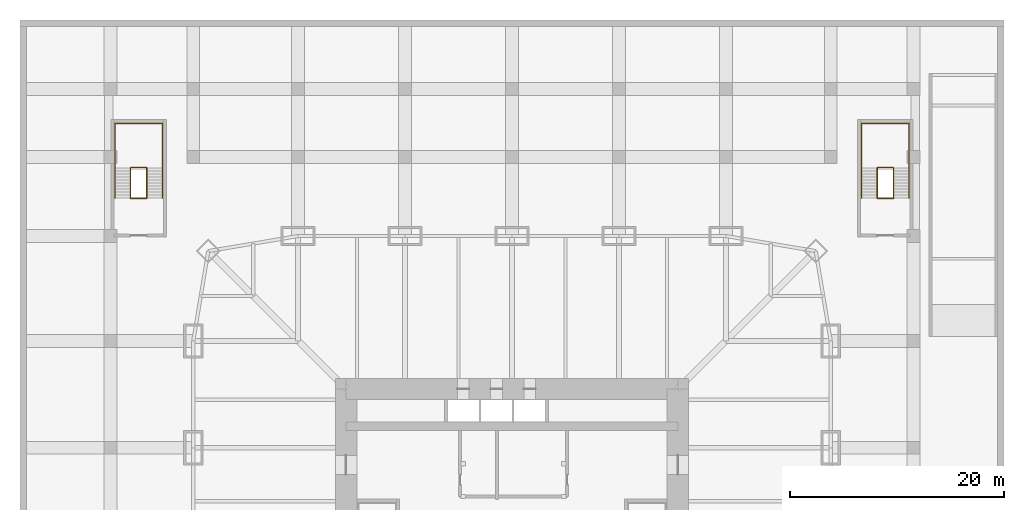
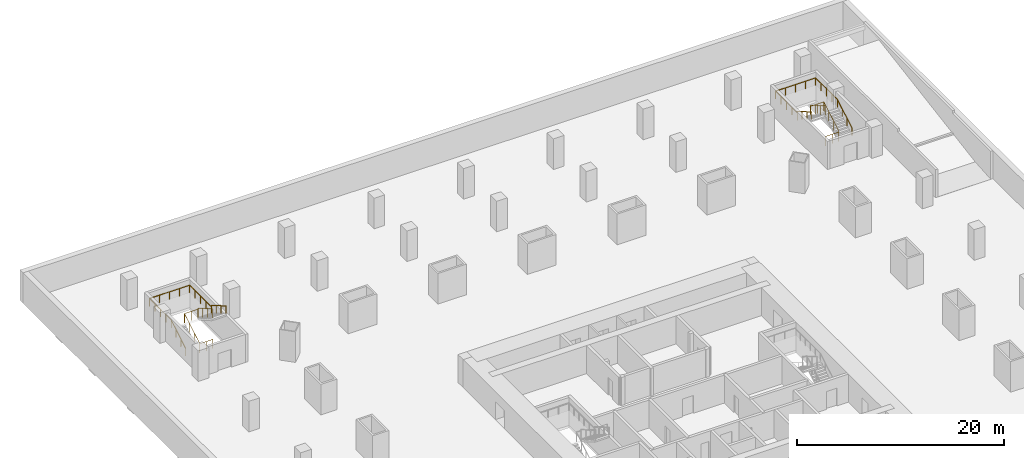
# One storey, part 11 of 11: 4 railings.
"""IFC4 building model written with IfcOpenShell, lengths in metres."""

import ifcopenshell
import ifcopenshell.guid

model = None  # the IFC model being written
_history = None  # IfcOwnerHistory: only IFC2X3 demands one
_inside = {}  # id of a spatial element -> (the spatial element, [elements in it])
_under = {}  # id of a project, library or spatial element -> (it, [spatial elements below it])
_declared = {}  # id of a project -> (the project, [libraries it declares])
_typed = {}  # id of a type object -> (the type object, [elements of that type])
_made_of = {}  # id of a material, layer set ... -> (it, [elements and type objects made of it])


def new_model(schema):
    """Start an empty IFC model of exactly this schema.

    Asked for "IFC4X3", IfcOpenShell would pick the latest addendum, in which some entities
    have other attributes; the version numbers below select the first issue.
    IFC2X3 requires an IfcOwnerHistory on every rooted entity: one is made here for all.
    """
    global model, _history
    if schema == "IFC4X3":
        model = ifcopenshell.file(schema_version=(4, 3, 0, 0))
    else:
        model = ifcopenshell.file(schema=schema)
    _inside.clear()
    _under.clear()
    _declared.clear()
    _typed.clear()
    _made_of.clear()
    _history = None
    if model.schema == "IFC2X3":
        org = make("IfcOrganization", Name="unknown")
        user = make(
            "IfcPersonAndOrganization",
            ThePerson=make("IfcPerson", FamilyName="unknown"),
            TheOrganization=org,
        )
        app = make(
            "IfcApplication",
            ApplicationDeveloper=org,
            Version="unknown",
            ApplicationFullName="unknown",
            ApplicationIdentifier="unknown",
        )
        _history = make(
            "IfcOwnerHistory",
            OwningUser=user,
            OwningApplication=app,
            ChangeAction="ADDED",
            CreationDate=0,
        )
    return model


def make(cls, **values):
    """One entity of the class cls with the attributes given. An attribute that is None is left unset."""
    return model.create_entity(
        cls, **{name: value for name, value in values.items() if value is not None}
    )


def rooted(cls, **values):
    """An entity with a GlobalId (a new one), such as an element, a storey or a relation."""
    return make(cls, GlobalId=ifcopenshell.guid.new(), OwnerHistory=_history, **values)


def si_unit(unit_type, name, prefix=None):
    """IfcSIUnit, for example si_unit("LENGTHUNIT", "METRE", prefix="MILLI")."""
    return make("IfcSIUnit", UnitType=unit_type, Prefix=prefix, Name=name)


def assignment(units):
    """IfcUnitAssignment: the units of a project."""
    return None if units is None else make("IfcUnitAssignment", Units=units)


def point(xyz):
    """IfcCartesianPoint."""
    return None if xyz is None else make("IfcCartesianPoint", Coordinates=xyz)


def direction(xyz):
    """IfcDirection."""
    return None if xyz is None else make("IfcDirection", DirectionRatios=xyz)


def frame(location, z_axis=None, x_axis=None):
    """IfcAxis2Placement3D, a coordinate frame: its origin and axes. An axis left out is left unset."""
    return make(
        "IfcAxis2Placement3D",
        Location=point(location),
        Axis=direction(z_axis),
        RefDirection=direction(x_axis),
    )


def frame_2d(location, x_axis=None):
    """IfcAxis2Placement2D, a coordinate frame in the plane: its origin and x axis."""
    return make(
        "IfcAxis2Placement2D", Location=point(location), RefDirection=direction(x_axis)
    )


def origin():
    """The frame at (0, 0, 0) with its axes left unset."""
    return frame((0.0, 0.0, 0.0))


def origin_2d():
    """The frame at (0, 0) in the plane with its x axis left unset."""
    return frame_2d((0.0, 0.0))


def place(relative_to, where):
    """IfcLocalPlacement: puts the frame where relative to a parent placement (None: the world)."""
    return make(
        "IfcLocalPlacement", PlacementRelTo=relative_to, RelativePlacement=where
    )


def context(
    kind, dimensions, precision=None, world=None, true_north=None, identifier=None
):
    """IfcGeometricRepresentationContext, for example the 3D "Model" context."""
    return make(
        "IfcGeometricRepresentationContext",
        ContextIdentifier=identifier,
        ContextType=kind,
        CoordinateSpaceDimension=dimensions,
        Precision=precision,
        WorldCoordinateSystem=world,
        TrueNorth=true_north,
    )


def subcontext(parent, identifier, kind, view, scale=None):
    """IfcGeometricRepresentationSubContext, for example "Body" below "Model"."""
    return make(
        "IfcGeometricRepresentationSubContext",
        ContextIdentifier=identifier,
        ContextType=kind,
        ParentContext=parent,
        TargetScale=scale,
        TargetView=view,
    )


def project(units=None, contexts=None):
    """IfcProject with its units and contexts."""
    return rooted(
        "IfcProject",
        Name="project",
        RepresentationContexts=contexts,
        UnitsInContext=assignment(units),
    )


def spatial(cls, under=None, at=None, **own):
    """A site, building, storey or space (cls), placed at a placement, below another one or the project."""
    s = rooted(cls, ObjectPlacement=at, **own)
    if under is not None:
        _under.setdefault(under.id(), (under, []))[1].append(s)
    return s


def profile(cls, at=None, kind="AREA", **sizes):
    """A parametric profile (cls). Its sizes go by their IFC names, for example OverallWidth=200.0."""
    return make(cls, ProfileType=kind, Position=at, **sizes)


def circle(**sizes):
    """IfcCircleProfileDef."""
    return profile("IfcCircleProfileDef", **sizes)


def extrude(swept, where, along, depth):
    """IfcExtrudedAreaSolid: the profile swept, set in the frame where, extruded along a direction by depth."""
    return make(
        "IfcExtrudedAreaSolid",
        SweptArea=swept,
        Position=where,
        ExtrudedDirection=direction(along),
        Depth=depth,
    )


def shape(context_of_items, identifier, shape_type, items):
    """IfcShapeRepresentation: the items that make up one representation, for example the "Body"."""
    return make(
        "IfcShapeRepresentation",
        ContextOfItems=context_of_items,
        RepresentationIdentifier=identifier,
        RepresentationType=shape_type,
        Items=items,
    )


def material(Name=None, Category=None):
    """IfcMaterial."""
    return make("IfcMaterial", Name=Name, Category=Category)


def made_of(thing, what):
    """Note that an element or type object is made of a material, layer set ...; save() writes the relation."""
    if what is not None:
        _made_of.setdefault(what.id(), (what, []))[1].append(thing)
    return thing


def type_object(cls, material=None, **own):
    """A type object (cls), such as IfcWallType, which elements share."""
    return made_of(rooted(cls, **own), material)


def element(
    cls,
    number,
    at=None,
    inside=None,
    cuts=None,
    type_object=None,
    material=None,
    context=None,
    identifier="Body",
    shape_type=None,
    held_by="IfcProductDefinitionShape",
    body=None,
    shapes=None,
    **own,
):
    """One element of the class cls, such as IfcWall. Its Tag is "e" and its number.

    at: its placement. inside: the storey or other place that contains it. cuts: it is an
    opening in that element (IfcRelVoidsElement). A single representation is given by context,
    identifier, shape_type and body (its items); several are given by shapes. held_by: the class
    of the entity that holds the representations. save() writes the other relations.
    """
    e = rooted(cls, Tag="e%d" % number, ObjectPlacement=at, **own)
    if body is not None:
        shapes = [shape(context, identifier, shape_type, body)]
    if shapes is not None:
        e.Representation = make(held_by, Representations=shapes)
    if inside is not None:
        _inside.setdefault(inside.id(), (inside, []))[1].append(e)
    if cuts is not None:
        rooted(
            "IfcRelVoidsElement", RelatingBuildingElement=cuts, RelatedOpeningElement=e
        )
    if type_object is not None:
        _typed.setdefault(type_object.id(), (type_object, []))[1].append(e)
    return made_of(e, material)


def aggregate(whole, parts):
    """IfcRelAggregates: a whole, such as a stair, and the parts it consists of."""
    return rooted("IfcRelAggregates", RelatingObject=whole, RelatedObjects=parts)


def save(model, path):
    """Write the relations noted so far, then the file.

    IfcRelAggregates (storeys below a building ...), IfcRelContainedInSpatialStructure (elements
    in a storey), IfcRelDefinesByType, IfcRelAssociatesMaterial and IfcRelDeclares: one each for
    every whole, place, type object, material and project.
    """
    for whole, parts in _under.values():
        aggregate(whole, parts)
    for where, things in _inside.values():
        rooted(
            "IfcRelContainedInSpatialStructure",
            RelatedElements=things,
            RelatingStructure=where,
        )
    for kind, things in _typed.values():
        rooted("IfcRelDefinesByType", RelatedObjects=things, RelatingType=kind)
    for what, things in _made_of.values():
        rooted("IfcRelAssociatesMaterial", RelatedObjects=things, RelatingMaterial=what)
    for by, libraries in _declared.values():
        rooted("IfcRelDeclares", RelatingContext=by, RelatedDefinitions=libraries)
    model.write(path)


model = new_model("IFC4")

# Units and contexts
model_context = context("Model", 3, precision=1e-05, world=origin(), true_north=direction((0.0, 1.0)))
body_context = subcontext(model_context, "Body", "Model", "MODEL_VIEW")
ifc_project = project(units=[si_unit("LENGTHUNIT", "METRE"), si_unit("AREAUNIT", "SQUARE_METRE"), si_unit("VOLUMEUNIT", "CUBIC_METRE"), si_unit("PLANEANGLEUNIT", "RADIAN"), si_unit("MASSUNIT", "GRAM", prefix="KILO")], contexts=[model_context])

# Site, building, storey
site_placement = place(None, origin())
site = spatial("IfcSite", under=ifc_project, at=site_placement, CompositionType="ELEMENT")
building_placement = place(site_placement, origin())
building = spatial("IfcBuilding", under=site, at=building_placement, Name="Khuree Lantern Residences", CompositionType="ELEMENT")
storey_placement = place(building_placement, frame((0.0, 0.0, -9.0)))
storey = spatial("IfcBuildingStorey", under=building, at=storey_placement, Name="B2", CompositionType="ELEMENT", Elevation=-9.0)

# Railings
ifc_material = material(Name="Steel S355", Category="steel")
railing_type_1 = type_object("IfcRailingType", Name="STAIR GUARD G1 1100", PredefinedType="GUARDRAIL", material=ifc_material)
railing_1_placement = place(storey_placement, frame((-34.14990234375, 33.2900390625, 0.0)))
element("IfcRailing", 1, at=railing_1_placement, inside=storey, type_object=railing_type_1, Name="Stair ST3 guard", PredefinedType="GUARDRAIL", context=body_context, shape_type="SweptSolid", body=[
    extrude(circle(Radius=0.02392578125, at=origin_2d()), frame((0.0, 0.0, 1.076171875), z_axis=(-1.0, 0.0, 0.0), x_axis=(0.0, -1.0, 0.0)), (0.0, 0.0, 1.0), 1.5),
    extrude(circle(Radius=0.02392578125, at=origin_2d()), frame((-1.5, 0.0, 1.076171875), z_axis=(0.0, 0.292581112321, 0.956240708563), x_axis=(-1.0, 0.0, 0.0)), (0.0, 0.0, 1.0), 0.171142578125),
    extrude(circle(Radius=0.02392578125, at=origin_2d()), frame((-1.5, 0.050048828125, 1.23974609375), z_axis=(0.0, 0.863341702679, 0.504619762213), x_axis=(-1.0, 0.0, 0.0)), (0.0, 0.0, 1.0), 3.242919921875),
    extrude(circle(Radius=0.02392578125, at=origin_2d()), frame((-1.5, 2.849853515625, 2.8759765625), z_axis=(0.0, 1.0, 0.0), x_axis=(-1.0, 0.0, 0.0)), (0.0, 0.0, 1.0), 0.050048828125),
    extrude(circle(Radius=0.02392578125, at=origin_2d()), frame((-1.5, 2.89990234375, 2.8759765625), z_axis=(1.0, 0.0, 0.0), x_axis=(0.0, 1.0, 0.0)), (0.0, 0.0, 1.0), 1.5),
    extrude(circle(Radius=0.02392578125, at=origin_2d()), frame((0.0, 2.89990234375, 2.8759765625), z_axis=(0.0, -0.292581112321, 0.956240708563), x_axis=(1.0, 0.0, 0.0)), (0.0, 0.0, 1.0), 0.171142578125),
    extrude(circle(Radius=0.02392578125, at=origin_2d()), frame((0.0, 2.849853515625, 3.03955078125), z_axis=(0.0, -0.863341702679, 0.504619762213), x_axis=(1.0, 0.0, 0.0)), (0.0, 0.0, 1.0), 3.242919921875),
    extrude(circle(Radius=0.02099609375, at=origin_2d()), origin(), (0.0, 0.0, 1.0), 1.052001953125),
    extrude(circle(Radius=0.02099609375, at=origin_2d()), frame((-0.75, 0.0, 0.0)), (0.0, 0.0, 1.0), 1.052001953125),
    extrude(circle(Radius=0.02099609375, at=origin_2d()), frame((-1.5, 0.0, 0.0)), (0.0, 0.0, 1.0), 1.052001953125),
    extrude(circle(Radius=0.02099609375, at=origin_2d()), frame((-1.5, 0.050048828125, 0.16357421875)), (0.0, 0.0, 1.0), 1.052001953125),
    extrude(circle(Radius=0.02099609375, at=origin_2d()), frame((-1.5, 0.9833984375, 0.708984375)), (0.0, 0.0, 1.0), 1.052001953125),
    extrude(circle(Radius=0.02099609375, at=origin_2d()), frame((-1.5, 1.91650390625, 1.254638671875)), (0.0, 0.0, 1.0), 1.052001953125),
    extrude(circle(Radius=0.02099609375, at=origin_2d()), frame((-1.5, 2.849853515625, 1.800048828125)), (0.0, 0.0, 1.0), 1.052001953125),
    extrude(circle(Radius=0.02099609375, at=origin_2d()), frame((-1.5, 2.89990234375, 1.800048828125)), (0.0, 0.0, 1.0), 1.052001953125),
    extrude(circle(Radius=0.02099609375, at=origin_2d()), frame((-0.75, 2.89990234375, 1.800048828125)), (0.0, 0.0, 1.0), 1.052001953125),
    extrude(circle(Radius=0.02099609375, at=origin_2d()), frame((0.0, 2.89990234375, 1.800048828125)), (0.0, 0.0, 1.0), 1.052001953125),
    extrude(circle(Radius=0.02099609375, at=origin_2d()), frame((0.0, 2.849853515625, 1.963623046875)), (0.0, 0.0, 1.0), 1.052001953125),
    extrude(circle(Radius=0.02099609375, at=origin_2d()), frame((0.0, 1.91650390625, 2.509033203125)), (0.0, 0.0, 1.0), 1.052001953125),
    extrude(circle(Radius=0.02099609375, at=origin_2d()), frame((0.0, 0.9833984375, 3.0546875)), (0.0, 0.0, 1.0), 1.052001953125),
    extrude(circle(Radius=0.02099609375, at=origin_2d()), frame((0.0, 0.050048828125, 3.60009765625)), (0.0, 0.0, 1.0), 1.052001953125),
])
railing_2_placement = place(storey_placement, frame((34.14990234375, 33.2900390625, 0.0)))
element("IfcRailing", 2, at=railing_2_placement, inside=storey, type_object=railing_type_1, Name="Stair ST4 guard", PredefinedType="GUARDRAIL", context=body_context, shape_type="SweptSolid", body=[
    extrude(circle(Radius=0.02392578125, at=origin_2d()), frame((0.0, 0.0, 1.076171875), z_axis=(1.0, 0.0, 0.0), x_axis=(0.0, 1.0, 0.0)), (0.0, 0.0, 1.0), 1.5),
    extrude(circle(Radius=0.02392578125, at=origin_2d()), frame((1.5, 0.0, 1.076171875), z_axis=(0.0, 0.292581112321, 0.956240708563), x_axis=(-1.0, 0.0, 0.0)), (0.0, 0.0, 1.0), 0.171142578125),
    extrude(circle(Radius=0.02392578125, at=origin_2d()), frame((1.5, 0.050048828125, 1.23974609375), z_axis=(0.0, 0.863341702679, 0.504619762213), x_axis=(-1.0, 0.0, 0.0)), (0.0, 0.0, 1.0), 3.242919921875),
    extrude(circle(Radius=0.02392578125, at=origin_2d()), frame((1.5, 2.849853515625, 2.8759765625), z_axis=(0.0, 1.0, 0.0), x_axis=(-1.0, 0.0, 0.0)), (0.0, 0.0, 1.0), 0.050048828125),
    extrude(circle(Radius=0.02392578125, at=origin_2d()), frame((1.5, 2.89990234375, 2.8759765625), z_axis=(-1.0, 0.0, 0.0), x_axis=(0.0, -1.0, 0.0)), (0.0, 0.0, 1.0), 1.5),
    extrude(circle(Radius=0.02392578125, at=origin_2d()), frame((0.0, 2.89990234375, 2.8759765625), z_axis=(0.0, -0.292581112321, 0.956240708563), x_axis=(1.0, 0.0, 0.0)), (0.0, 0.0, 1.0), 0.171142578125),
    extrude(circle(Radius=0.02392578125, at=origin_2d()), frame((0.0, 2.849853515625, 3.03955078125), z_axis=(0.0, -0.863341702679, 0.504619762213), x_axis=(1.0, 0.0, 0.0)), (0.0, 0.0, 1.0), 3.242919921875),
    extrude(circle(Radius=0.02099609375, at=origin_2d()), origin(), (0.0, 0.0, 1.0), 1.052001953125),
    extrude(circle(Radius=0.02099609375, at=origin_2d()), frame((0.75, 0.0, 0.0)), (0.0, 0.0, 1.0), 1.052001953125),
    extrude(circle(Radius=0.02099609375, at=origin_2d()), frame((1.5, 0.0, 0.0)), (0.0, 0.0, 1.0), 1.052001953125),
    extrude(circle(Radius=0.02099609375, at=origin_2d()), frame((1.5, 0.050048828125, 0.16357421875)), (0.0, 0.0, 1.0), 1.052001953125),
    extrude(circle(Radius=0.02099609375, at=origin_2d()), frame((1.5, 0.9833984375, 0.708984375)), (0.0, 0.0, 1.0), 1.052001953125),
    extrude(circle(Radius=0.02099609375, at=origin_2d()), frame((1.5, 1.91650390625, 1.254638671875)), (0.0, 0.0, 1.0), 1.052001953125),
    extrude(circle(Radius=0.02099609375, at=origin_2d()), frame((1.5, 2.849853515625, 1.800048828125)), (0.0, 0.0, 1.0), 1.052001953125),
    extrude(circle(Radius=0.02099609375, at=origin_2d()), frame((1.5, 2.89990234375, 1.800048828125)), (0.0, 0.0, 1.0), 1.052001953125),
    extrude(circle(Radius=0.02099609375, at=origin_2d()), frame((0.75, 2.89990234375, 1.800048828125)), (0.0, 0.0, 1.0), 1.052001953125),
    extrude(circle(Radius=0.02099609375, at=origin_2d()), frame((0.0, 2.89990234375, 1.800048828125)), (0.0, 0.0, 1.0), 1.052001953125),
    extrude(circle(Radius=0.02099609375, at=origin_2d()), frame((0.0, 2.849853515625, 1.963623046875)), (0.0, 0.0, 1.0), 1.052001953125),
    extrude(circle(Radius=0.02099609375, at=origin_2d()), frame((0.0, 1.91650390625, 2.509033203125)), (0.0, 0.0, 1.0), 1.052001953125),
    extrude(circle(Radius=0.02099609375, at=origin_2d()), frame((0.0, 0.9833984375, 3.0546875)), (0.0, 0.0, 1.0), 1.052001953125),
    extrude(circle(Radius=0.02099609375, at=origin_2d()), frame((0.0, 0.050048828125, 3.60009765625)), (0.0, 0.0, 1.0), 1.052001953125),
])
railing_type_2 = type_object("IfcRailingType", Name="STAIR HANDRAIL H1 900", PredefinedType="HANDRAIL", material=ifc_material)
railing_3_placement = place(storey_placement, frame((-37.139892578125, 33.340087890625, 0.16357421875)))
element("IfcRailing", 3, at=railing_3_placement, inside=storey, type_object=railing_type_2, Name="Stair ST3 handrail", PredefinedType="HANDRAIL", context=body_context, shape_type="SweptSolid", body=[
    extrude(circle(Radius=0.02392578125, at=origin_2d()), frame((0.0, 0.0, 0.8759765625), z_axis=(0.0, 0.863341702679, 0.504619762213), x_axis=(-1.0, 0.0, 0.0)), (0.0, 0.0, 1.0), 3.242919921875),
    extrude(circle(Radius=0.02392578125, at=origin_2d()), frame((0.0, 2.7998046875, 2.51220703125), z_axis=(0.0, 1.0, 0.0), x_axis=(-1.0, 0.0, 0.0)), (0.0, 0.0, 1.0), 4.2001953125),
    extrude(circle(Radius=0.02392578125, at=origin_2d()), frame((0.0, 7.0, 2.51220703125), z_axis=(1.0, 0.0, 0.0), x_axis=(0.0, 1.0, 0.0)), (0.0, 0.0, 1.0), 4.47998046875),
    extrude(circle(Radius=0.02392578125, at=origin_2d()), frame((4.47998046875, 7.0, 2.51220703125), z_axis=(0.0, -1.0, 0.0), x_axis=(1.0, 0.0, 0.0)), (0.0, 0.0, 1.0), 4.2001953125),
    extrude(circle(Radius=0.02392578125, at=origin_2d()), frame((4.47998046875, 2.7998046875, 2.51220703125), z_axis=(0.0, 0.0, 1.0), x_axis=(1.0, 0.0, 0.0)), (0.0, 0.0, 1.0), 0.16357421875),
    extrude(circle(Radius=0.02392578125, at=origin_2d()), frame((4.47998046875, 2.7998046875, 2.67578125), z_axis=(0.0, -0.863341702679, 0.504619762213), x_axis=(1.0, 0.0, 0.0)), (0.0, 0.0, 1.0), 3.242919921875),
    extrude(circle(Radius=0.02099609375, at=origin_2d()), origin(), (0.0, 0.0, 1.0), 0.851806640625),
    extrude(circle(Radius=0.02099609375, at=origin_2d()), frame((0.0, 0.933349609375, 0.54541015625)), (0.0, 0.0, 1.0), 0.851806640625),
    extrude(circle(Radius=0.02099609375, at=origin_2d()), frame((0.0, 1.866455078125, 1.091064453125)), (0.0, 0.0, 1.0), 0.851806640625),
    extrude(circle(Radius=0.02099609375, at=origin_2d()), frame((0.0, 2.7998046875, 1.636474609375)), (0.0, 0.0, 1.0), 0.851806640625),
    extrude(circle(Radius=0.02099609375, at=origin_2d()), frame((0.0, 3.849853515625, 1.636474609375)), (0.0, 0.0, 1.0), 0.851806640625),
    extrude(circle(Radius=0.02099609375, at=origin_2d()), frame((0.0, 4.89990234375, 1.636474609375)), (0.0, 0.0, 1.0), 0.851806640625),
    extrude(circle(Radius=0.02099609375, at=origin_2d()), frame((0.0, 5.949951171875, 1.636474609375)), (0.0, 0.0, 1.0), 0.851806640625),
    extrude(circle(Radius=0.02099609375, at=origin_2d()), frame((0.0, 7.0, 1.636474609375)), (0.0, 0.0, 1.0), 0.851806640625),
    extrude(circle(Radius=0.02099609375, at=origin_2d()), frame((1.1201171875, 7.0, 1.636474609375)), (0.0, 0.0, 1.0), 0.851806640625),
    extrude(circle(Radius=0.02099609375, at=origin_2d()), frame((2.239990234375, 7.0, 1.636474609375)), (0.0, 0.0, 1.0), 0.851806640625),
    extrude(circle(Radius=0.02099609375, at=origin_2d()), frame((3.35986328125, 7.0, 1.636474609375)), (0.0, 0.0, 1.0), 0.851806640625),
    extrude(circle(Radius=0.02099609375, at=origin_2d()), frame((4.47998046875, 7.0, 1.636474609375)), (0.0, 0.0, 1.0), 0.851806640625),
    extrude(circle(Radius=0.02099609375, at=origin_2d()), frame((4.47998046875, 5.949951171875, 1.636474609375)), (0.0, 0.0, 1.0), 0.851806640625),
    extrude(circle(Radius=0.02099609375, at=origin_2d()), frame((4.47998046875, 4.89990234375, 1.636474609375)), (0.0, 0.0, 1.0), 0.851806640625),
    extrude(circle(Radius=0.02099609375, at=origin_2d()), frame((4.47998046875, 3.849853515625, 1.636474609375)), (0.0, 0.0, 1.0), 0.851806640625),
    extrude(circle(Radius=0.02099609375, at=origin_2d()), frame((4.47998046875, 2.7998046875, 1.636474609375)), (0.0, 0.0, 1.0), 0.851806640625),
    extrude(circle(Radius=0.02099609375, at=origin_2d()), frame((4.47998046875, 2.7998046875, 1.800048828125)), (0.0, 0.0, 1.0), 0.851806640625),
    extrude(circle(Radius=0.02099609375, at=origin_2d()), frame((4.47998046875, 1.866455078125, 2.345458984375)), (0.0, 0.0, 1.0), 0.851806640625),
    extrude(circle(Radius=0.02099609375, at=origin_2d()), frame((4.47998046875, 0.933349609375, 2.89111328125)), (0.0, 0.0, 1.0), 0.851806640625),
    extrude(circle(Radius=0.02099609375, at=origin_2d()), frame((4.47998046875, 0.0, 3.4365234375)), (0.0, 0.0, 1.0), 0.851806640625),
])
railing_4_placement = place(storey_placement, frame((37.139892578125, 33.340087890625, 0.16357421875)))
element("IfcRailing", 4, at=railing_4_placement, inside=storey, type_object=railing_type_2, Name="Stair ST4 handrail", PredefinedType="HANDRAIL", context=body_context, shape_type="SweptSolid", body=[
    extrude(circle(Radius=0.02392578125, at=origin_2d()), frame((0.0, 0.0, 0.8759765625), z_axis=(0.0, 0.863341702679, 0.504619762213), x_axis=(-1.0, 0.0, 0.0)), (0.0, 0.0, 1.0), 3.242919921875),
    extrude(circle(Radius=0.02392578125, at=origin_2d()), frame((0.0, 2.7998046875, 2.51220703125), z_axis=(0.0, 1.0, 0.0), x_axis=(-1.0, 0.0, 0.0)), (0.0, 0.0, 1.0), 4.2001953125),
    extrude(circle(Radius=0.02392578125, at=origin_2d()), frame((0.0, 7.0, 2.51220703125), z_axis=(-1.0, 0.0, 0.0), x_axis=(0.0, -1.0, 0.0)), (0.0, 0.0, 1.0), 4.47998046875),
    extrude(circle(Radius=0.02392578125, at=origin_2d()), frame((-4.47998046875, 7.0, 2.51220703125), z_axis=(0.0, -1.0, 0.0), x_axis=(1.0, 0.0, 0.0)), (0.0, 0.0, 1.0), 4.2001953125),
    extrude(circle(Radius=0.02392578125, at=origin_2d()), frame((-4.47998046875, 2.7998046875, 2.51220703125), z_axis=(0.0, 0.0, 1.0), x_axis=(1.0, 0.0, 0.0)), (0.0, 0.0, 1.0), 0.16357421875),
    extrude(circle(Radius=0.02392578125, at=origin_2d()), frame((-4.47998046875, 2.7998046875, 2.67578125), z_axis=(0.0, -0.863341702679, 0.504619762213), x_axis=(1.0, 0.0, 0.0)), (0.0, 0.0, 1.0), 3.242919921875),
    extrude(circle(Radius=0.02099609375, at=origin_2d()), origin(), (0.0, 0.0, 1.0), 0.851806640625),
    extrude(circle(Radius=0.02099609375, at=origin_2d()), frame((0.0, 0.933349609375, 0.54541015625)), (0.0, 0.0, 1.0), 0.851806640625),
    extrude(circle(Radius=0.02099609375, at=origin_2d()), frame((0.0, 1.866455078125, 1.091064453125)), (0.0, 0.0, 1.0), 0.851806640625),
    extrude(circle(Radius=0.02099609375, at=origin_2d()), frame((0.0, 2.7998046875, 1.636474609375)), (0.0, 0.0, 1.0), 0.851806640625),
    extrude(circle(Radius=0.02099609375, at=origin_2d()), frame((0.0, 3.849853515625, 1.636474609375)), (0.0, 0.0, 1.0), 0.851806640625),
    extrude(circle(Radius=0.02099609375, at=origin_2d()), frame((0.0, 4.89990234375, 1.636474609375)), (0.0, 0.0, 1.0), 0.851806640625),
    extrude(circle(Radius=0.02099609375, at=origin_2d()), frame((0.0, 5.949951171875, 1.636474609375)), (0.0, 0.0, 1.0), 0.851806640625),
    extrude(circle(Radius=0.02099609375, at=origin_2d()), frame((0.0, 7.0, 1.636474609375)), (0.0, 0.0, 1.0), 0.851806640625),
    extrude(circle(Radius=0.02099609375, at=origin_2d()), frame((-1.1201171875, 7.0, 1.636474609375)), (0.0, 0.0, 1.0), 0.851806640625),
    extrude(circle(Radius=0.02099609375, at=origin_2d()), frame((-2.239990234375, 7.0, 1.636474609375)), (0.0, 0.0, 1.0), 0.851806640625),
    extrude(circle(Radius=0.02099609375, at=origin_2d()), frame((-3.35986328125, 7.0, 1.636474609375)), (0.0, 0.0, 1.0), 0.851806640625),
    extrude(circle(Radius=0.02099609375, at=origin_2d()), frame((-4.47998046875, 7.0, 1.636474609375)), (0.0, 0.0, 1.0), 0.851806640625),
    extrude(circle(Radius=0.02099609375, at=origin_2d()), frame((-4.47998046875, 5.949951171875, 1.636474609375)), (0.0, 0.0, 1.0), 0.851806640625),
    extrude(circle(Radius=0.02099609375, at=origin_2d()), frame((-4.47998046875, 4.89990234375, 1.636474609375)), (0.0, 0.0, 1.0), 0.851806640625),
    extrude(circle(Radius=0.02099609375, at=origin_2d()), frame((-4.47998046875, 3.849853515625, 1.636474609375)), (0.0, 0.0, 1.0), 0.851806640625),
    extrude(circle(Radius=0.02099609375, at=origin_2d()), frame((-4.47998046875, 2.7998046875, 1.636474609375)), (0.0, 0.0, 1.0), 0.851806640625),
    extrude(circle(Radius=0.02099609375, at=origin_2d()), frame((-4.47998046875, 2.7998046875, 1.800048828125)), (0.0, 0.0, 1.0), 0.851806640625),
    extrude(circle(Radius=0.02099609375, at=origin_2d()), frame((-4.47998046875, 1.866455078125, 2.345458984375)), (0.0, 0.0, 1.0), 0.851806640625),
    extrude(circle(Radius=0.02099609375, at=origin_2d()), frame((-4.47998046875, 0.933349609375, 2.89111328125)), (0.0, 0.0, 1.0), 0.851806640625),
    extrude(circle(Radius=0.02099609375, at=origin_2d()), frame((-4.47998046875, 0.0, 3.4365234375)), (0.0, 0.0, 1.0), 0.851806640625),
])

save(model, "model.ifc")
